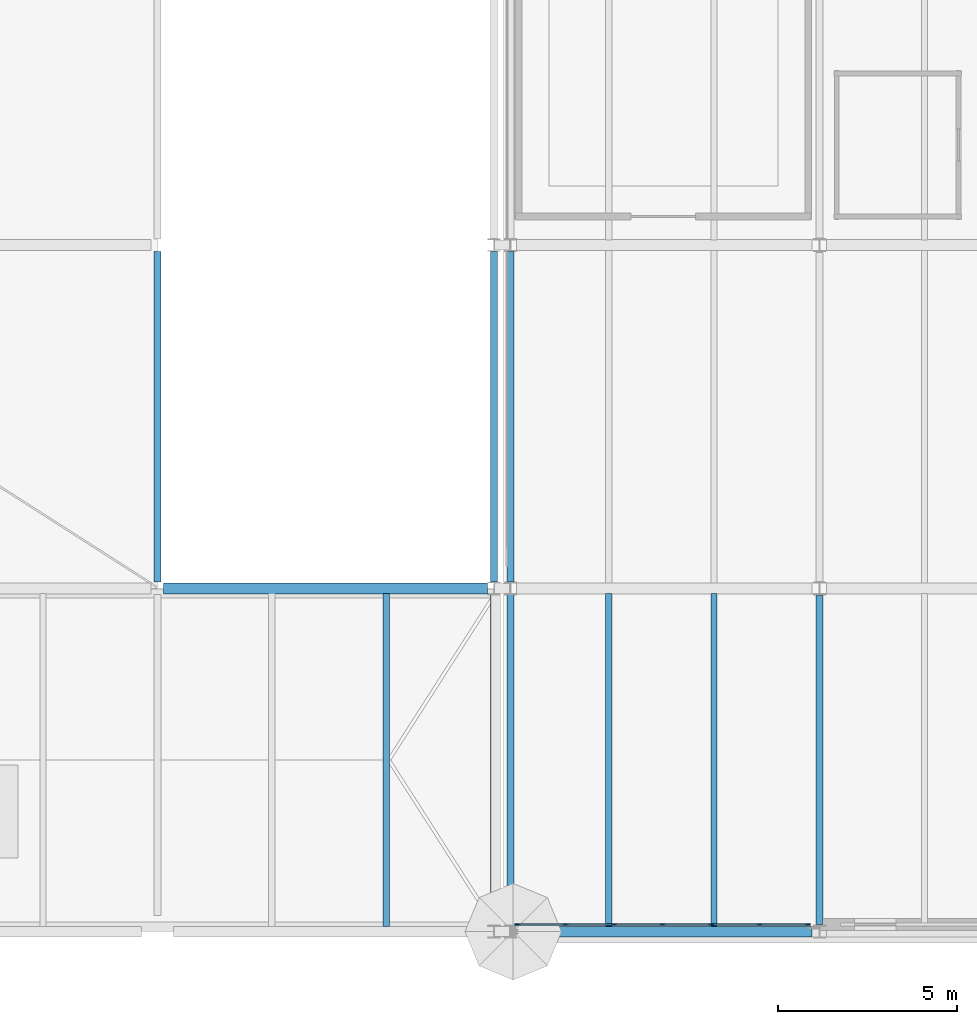
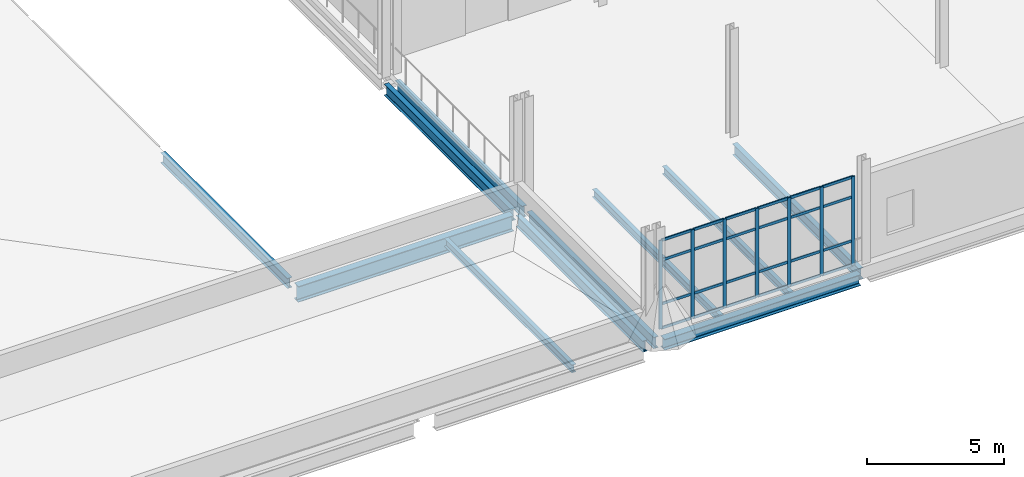
# One storey, part 55 of 112: 31 members, 11 beams, 1 element without a shape of its own.
"""IFC4 building model written with IfcOpenShell, lengths in metres."""

from ifc_helpers import new_model, si_unit, direction, frame, origin, origin_2d, place, context, subcontext, project, spatial, rectangle, i_section, extrude, material, layer, layer_set, material_profile, profile_set, type_object, element, aggregate, save


model = new_model("IFC4")

# Units and contexts
model_context = context("Model", 3, precision=1e-05, world=origin(), true_north=direction((0.0, 1.0)))
body_context = subcontext(model_context, "Body", "Model", "MODEL_VIEW")
ifc_project = project(units=[si_unit("LENGTHUNIT", "METRE"), si_unit("AREAUNIT", "SQUARE_METRE"), si_unit("VOLUMEUNIT", "CUBIC_METRE"), si_unit("PLANEANGLEUNIT", "RADIAN"), si_unit("MASSUNIT", "GRAM", prefix="KILO")], contexts=[model_context])

# Site, building, storey
site_placement = place(None, origin())
site = spatial("IfcSite", under=ifc_project, at=site_placement, CompositionType="ELEMENT")
building_placement = place(site_placement, origin())
building = spatial("IfcBuilding", under=site, at=building_placement, Name="Yeouljin Market Hall", CompositionType="ELEMENT")
storey_placement = place(building_placement, frame((0.0, 0.0, 6.0)))
storey = spatial("IfcBuildingStorey", under=building, at=storey_placement, Name="L01", CompositionType="ELEMENT", Elevation=6.0)

# Beams
ifc_material_1 = material(Name="Steel SM355", Category="steel")
ifc_material_profile_1 = material_profile(ifc_material_1, i_section(OverallWidth=0.199951171875, OverallDepth=0.449951171875, WebThickness=0.009033203125, FlangeThickness=0.013916015625, FilletRadius=0.01806640625, at=origin_2d()), Name="H-450x200x9x14")
ifc_profile_set_1 = profile_set([ifc_material_profile_1], Name="Steel SM355")
beam_type_1 = type_object("IfcBeamType", Name="Beam_H-450x200x9x14", PredefinedType="BEAM", material=ifc_profile_set_1)
beam_1_placement = place(storey_placement, frame((131.39990234375, 9.77490234375, -0.2451171875), z_axis=(0.0, 1.0, 0.0), x_axis=(-1.0, 0.0, 0.0)))
element("IfcBeam", 1, at=beam_1_placement, inside=storey, type_object=beam_type_1, Name="Boulevard forecourt canopy beam BM-V5FC-Y32", PredefinedType="BEAM", context=body_context, shape_type="SweptSolid", body=[
    extrude(i_section(OverallWidth=0.199951171875, OverallDepth=0.449951171875, WebThickness=0.009033203125, FlangeThickness=0.013916015625, FilletRadius=0.01806640625, at=origin_2d()), origin(), (0.0, 0.0, 1.0), 9.25),
])
ifc_material_2 = material(Name="Steel SM355", Category="steel")
ifc_material_profile_2 = material_profile(ifc_material_2, i_section(OverallWidth=0.199951171875, OverallDepth=0.5, WebThickness=0.010009765625, FlangeThickness=0.01611328125, FilletRadius=0.02001953125, at=origin_2d()), Name="H-500x200x10x16")
ifc_profile_set_2 = profile_set([ifc_material_profile_2], Name="Steel SM355")
beam_type_2 = type_object("IfcBeamType", Name="Beam_H-500x200x10x16", PredefinedType="BEAM", material=ifc_profile_set_2)
for number, where, z_axis, x_axis, name in (
    (2, (140.81005859375, 0.175048828125, -0.530029296875), (0.0, 1.0, 0.0), (-1.0, 0.0, 0.0), "Primary beam BM-L01-Y207"),
    (3, (140.81005859375, 9.77490234375, -0.514892578125), (0.0, 1.0, 0.0), (-1.0, 0.0, 0.0), "Primary beam BM-L01-Y208"),
    (4, (141.27001953125, 0.175048828125, -0.530029296875), (0.0, 1.0, 0.0), (-1.0, 0.0, 0.0), "Primary beam BM-L01-Y215"),
    (5, (141.27001953125, 9.77490234375, -0.514892578125), (0.0, 1.0, 0.0), (-1.0, 0.0, 0.0), "Primary beam BM-L01-Y216"),
):
    element("IfcBeam", number, at=place(storey_placement, frame(where, z_axis=z_axis, x_axis=x_axis)), inside=storey, type_object=beam_type_2, Name=name, PredefinedType="BEAM", context=body_context, shape_type="SweptSolid", body=[
        extrude(i_section(OverallWidth=0.199951171875, OverallDepth=0.5, WebThickness=0.010009765625, FlangeThickness=0.01611328125, FilletRadius=0.02001953125, at=origin_2d()), origin(), (0.0, 0.0, 1.0), 9.25),
    ])
beam_2_placement = place(storey_placement, frame((149.909912109375, 0.199951171875, -0.514892578125), z_axis=(0.0, 1.0, 0.0), x_axis=(-1.0, 0.0, 0.0)))
element("IfcBeam", 6, at=beam_2_placement, inside=storey, type_object=beam_type_2, Name="Primary beam BM-L01-Y218", PredefinedType="BEAM", context=body_context, shape_type="SweptSolid", body=[
    extrude(i_section(OverallWidth=0.199951171875, OverallDepth=0.5, WebThickness=0.010009765625, FlangeThickness=0.01611328125, FilletRadius=0.02001953125, at=origin_2d()), origin(), (0.0, 0.0, 1.0), 9.199951171875),
])

# Curtain wall, members
ifc_material_3 = material(Name="Thermally Broken Aluminium", Category="aluminium")
ifc_layer = layer(ifc_material_3, 0.14990234375)
ifc_layer_set = layer_set([ifc_layer], Name="Thermally Broken Aluminium")
curtain_wall_type = type_object("IfcCurtainWallType", Name="CW_AcademyRibbon_System", PredefinedType="USERDEFINED", material=ifc_layer_set)
curtain_wall_placement = place(storey_placement, origin())
curtain_wall = element("IfcCurtainWall", 7, at=curtain_wall_placement, inside=storey, type_object=curtain_wall_type, Name="Curtain wall CW-L01-W12", ObjectType="CURTAIN WALL", PredefinedType="USERDEFINED")
ifc_material_4 = material(Name="Thermally Broken Aluminium", Category="aluminium")
ifc_material_profile_3 = material_profile(ifc_material_4, rectangle(XDim=0.048095703125, YDim=0.14990234375, at=origin_2d()), Name="CW-MULL-48x150")
ifc_profile_set_3 = profile_set([ifc_material_profile_3], Name="Thermally Broken Aluminium")
member_type_1 = type_object("IfcMemberType", Name="CWMullion_48x150", PredefinedType="MULLION", material=ifc_profile_set_3)
member_1_placement = place(storey_placement, frame((149.575927734375, 0.199951171875, 0.0), z_axis=(0.0, 0.0, 1.0), x_axis=(0.0, -1.0, 0.0)))
member_1 = element("IfcMember", 8, at=member_1_placement, type_object=member_type_1, Name="CW-05 mullion 1", PredefinedType="MULLION", context=body_context, shape_type="SweptSolid", body=[
    extrude(rectangle(XDim=0.048095703125, YDim=0.14990234375, at=origin_2d()), origin(), (0.0, 0.0, 1.0), 3.949951171875),
])
member_2_placement = place(storey_placement, frame((148.24169921875, 0.199951171875, 0.0), z_axis=(0.0, 0.0, 1.0), x_axis=(0.0, -1.0, 0.0)))
member_2 = element("IfcMember", 9, at=member_2_placement, type_object=member_type_1, Name="CW-05 mullion 2", PredefinedType="MULLION", context=body_context, shape_type="SweptSolid", body=[
    extrude(rectangle(XDim=0.048095703125, YDim=0.14990234375, at=origin_2d()), origin(), (0.0, 0.0, 1.0), 3.949951171875),
])
member_3_placement = place(storey_placement, frame((146.88330078125, 0.199951171875, 0.0), z_axis=(0.0, 0.0, 1.0), x_axis=(0.0, -1.0, 0.0)))
member_3 = element("IfcMember", 10, at=member_3_placement, type_object=member_type_1, Name="CW-05 mullion 3", PredefinedType="MULLION", context=body_context, shape_type="SweptSolid", body=[
    extrude(rectangle(XDim=0.048095703125, YDim=0.14990234375, at=origin_2d()), origin(), (0.0, 0.0, 1.0), 3.949951171875),
])
member_4_placement = place(storey_placement, frame((145.52490234375, 0.199951171875, 0.0), z_axis=(0.0, 0.0, 1.0), x_axis=(0.0, -1.0, 0.0)))
member_4 = element("IfcMember", 11, at=member_4_placement, type_object=member_type_1, Name="CW-05 mullion 4", PredefinedType="MULLION", context=body_context, shape_type="SweptSolid", body=[
    extrude(rectangle(XDim=0.048095703125, YDim=0.14990234375, at=origin_2d()), origin(), (0.0, 0.0, 1.0), 3.949951171875),
])
member_5_placement = place(storey_placement, frame((144.166748046875, 0.199951171875, 0.0), z_axis=(0.0, 0.0, 1.0), x_axis=(0.0, -1.0, 0.0)))
member_5 = element("IfcMember", 12, at=member_5_placement, type_object=member_type_1, Name="CW-05 mullion 5", PredefinedType="MULLION", context=body_context, shape_type="SweptSolid", body=[
    extrude(rectangle(XDim=0.048095703125, YDim=0.14990234375, at=origin_2d()), origin(), (0.0, 0.0, 1.0), 3.949951171875),
])
member_6_placement = place(storey_placement, frame((142.808349609375, 0.199951171875, 0.0), z_axis=(0.0, 0.0, 1.0), x_axis=(0.0, -1.0, 0.0)))
member_6 = element("IfcMember", 13, at=member_6_placement, type_object=member_type_1, Name="CW-05 mullion 6", PredefinedType="MULLION", context=body_context, shape_type="SweptSolid", body=[
    extrude(rectangle(XDim=0.048095703125, YDim=0.14990234375, at=origin_2d()), origin(), (0.0, 0.0, 1.0), 3.949951171875),
])
member_7_placement = place(storey_placement, frame((141.47412109375, 0.199951171875, 0.0), z_axis=(0.0, 0.0, 1.0), x_axis=(0.0, -1.0, 0.0)))
member_7 = element("IfcMember", 14, at=member_7_placement, type_object=member_type_1, Name="CW-05 mullion 7", PredefinedType="MULLION", context=body_context, shape_type="SweptSolid", body=[
    extrude(rectangle(XDim=0.048095703125, YDim=0.14990234375, at=origin_2d()), origin(), (0.0, 0.0, 1.0), 3.949951171875),
])
ifc_material_5 = material(Name="Thermally Broken Aluminium", Category="aluminium")
ifc_material_profile_4 = material_profile(ifc_material_5, rectangle(XDim=0.048095703125, YDim=0.1201171875, at=origin_2d()), Name="CW-TRAN-48x120")
ifc_profile_set_4 = profile_set([ifc_material_profile_4], Name="Thermally Broken Aluminium")
member_type_2 = type_object("IfcMemberType", Name="CWTransom_48x120", PredefinedType="USERDEFINED", material=ifc_profile_set_4)
member_8_placement = place(storey_placement, frame((149.552001953125, 0.199951171875, 0.02392578125), z_axis=(-1.0, 0.0, 0.0), x_axis=(0.0, -1.0, 0.0)))
member_8 = element("IfcMember", 15, at=member_8_placement, type_object=member_type_2, Name="CW-05 transom 1.1", ObjectType="TRANSOM", PredefinedType="USERDEFINED", context=body_context, shape_type="SweptSolid", body=[
    extrude(rectangle(XDim=0.048095703125, YDim=0.1201171875, at=origin_2d()), origin(), (0.0, 0.0, 1.0), 1.286376953125),
])
member_9_placement = place(storey_placement, frame((149.552001953125, 0.199951171875, 1.10009765625), z_axis=(-1.0, 0.0, 0.0), x_axis=(0.0, -1.0, 0.0)))
member_9 = element("IfcMember", 16, at=member_9_placement, type_object=member_type_2, Name="CW-05 transom 1.2", ObjectType="TRANSOM", PredefinedType="USERDEFINED", context=body_context, shape_type="SweptSolid", body=[
    extrude(rectangle(XDim=0.048095703125, YDim=0.1201171875, at=origin_2d()), origin(), (0.0, 0.0, 1.0), 1.286376953125),
])
member_10_placement = place(storey_placement, frame((149.552001953125, 0.199951171875, 3.050048828125), z_axis=(-1.0, 0.0, 0.0), x_axis=(0.0, -1.0, 0.0)))
member_10 = element("IfcMember", 17, at=member_10_placement, type_object=member_type_2, Name="CW-05 transom 1.3", ObjectType="TRANSOM", PredefinedType="USERDEFINED", context=body_context, shape_type="SweptSolid", body=[
    extrude(rectangle(XDim=0.048095703125, YDim=0.1201171875, at=origin_2d()), origin(), (0.0, 0.0, 1.0), 1.286376953125),
])
member_11_placement = place(storey_placement, frame((149.552001953125, 0.199951171875, 3.926025390625), z_axis=(-1.0, 0.0, 0.0), x_axis=(0.0, -1.0, 0.0)))
member_11 = element("IfcMember", 18, at=member_11_placement, type_object=member_type_2, Name="CW-05 transom 1.4", ObjectType="TRANSOM", PredefinedType="USERDEFINED", context=body_context, shape_type="SweptSolid", body=[
    extrude(rectangle(XDim=0.048095703125, YDim=0.1201171875, at=origin_2d()), origin(), (0.0, 0.0, 1.0), 1.286376953125),
])
member_12_placement = place(storey_placement, frame((148.2177734375, 0.199951171875, 0.02392578125), z_axis=(-1.0, 0.0, 0.0), x_axis=(0.0, -1.0, 0.0)))
member_12 = element("IfcMember", 19, at=member_12_placement, type_object=member_type_2, Name="CW-05 transom 2.1", ObjectType="TRANSOM", PredefinedType="USERDEFINED", context=body_context, shape_type="SweptSolid", body=[
    extrude(rectangle(XDim=0.048095703125, YDim=0.1201171875, at=origin_2d()), origin(), (0.0, 0.0, 1.0), 1.310546875),
])
member_13_placement = place(storey_placement, frame((148.2177734375, 0.199951171875, 1.10009765625), z_axis=(-1.0, 0.0, 0.0), x_axis=(0.0, -1.0, 0.0)))
member_13 = element("IfcMember", 20, at=member_13_placement, type_object=member_type_2, Name="CW-05 transom 2.2", ObjectType="TRANSOM", PredefinedType="USERDEFINED", context=body_context, shape_type="SweptSolid", body=[
    extrude(rectangle(XDim=0.048095703125, YDim=0.1201171875, at=origin_2d()), origin(), (0.0, 0.0, 1.0), 1.310546875),
])
member_14_placement = place(storey_placement, frame((148.2177734375, 0.199951171875, 3.050048828125), z_axis=(-1.0, 0.0, 0.0), x_axis=(0.0, -1.0, 0.0)))
member_14 = element("IfcMember", 21, at=member_14_placement, type_object=member_type_2, Name="CW-05 transom 2.3", ObjectType="TRANSOM", PredefinedType="USERDEFINED", context=body_context, shape_type="SweptSolid", body=[
    extrude(rectangle(XDim=0.048095703125, YDim=0.1201171875, at=origin_2d()), origin(), (0.0, 0.0, 1.0), 1.310546875),
])
member_15_placement = place(storey_placement, frame((148.2177734375, 0.199951171875, 3.926025390625), z_axis=(-1.0, 0.0, 0.0), x_axis=(0.0, -1.0, 0.0)))
member_15 = element("IfcMember", 22, at=member_15_placement, type_object=member_type_2, Name="CW-05 transom 2.4", ObjectType="TRANSOM", PredefinedType="USERDEFINED", context=body_context, shape_type="SweptSolid", body=[
    extrude(rectangle(XDim=0.048095703125, YDim=0.1201171875, at=origin_2d()), origin(), (0.0, 0.0, 1.0), 1.310546875),
])
member_16_placement = place(storey_placement, frame((146.859375, 0.199951171875, 0.02392578125), z_axis=(-1.0, 0.0, 0.0), x_axis=(0.0, -1.0, 0.0)))
member_16 = element("IfcMember", 23, at=member_16_placement, type_object=member_type_2, Name="CW-05 transom 3.1", ObjectType="TRANSOM", PredefinedType="USERDEFINED", context=body_context, shape_type="SweptSolid", body=[
    extrude(rectangle(XDim=0.048095703125, YDim=0.1201171875, at=origin_2d()), origin(), (0.0, 0.0, 1.0), 1.310302734375),
])
member_17_placement = place(storey_placement, frame((146.859375, 0.199951171875, 1.10009765625), z_axis=(-1.0, 0.0, 0.0), x_axis=(0.0, -1.0, 0.0)))
member_17 = element("IfcMember", 24, at=member_17_placement, type_object=member_type_2, Name="CW-05 transom 3.2", ObjectType="TRANSOM", PredefinedType="USERDEFINED", context=body_context, shape_type="SweptSolid", body=[
    extrude(rectangle(XDim=0.048095703125, YDim=0.1201171875, at=origin_2d()), origin(), (0.0, 0.0, 1.0), 1.310302734375),
])
member_18_placement = place(storey_placement, frame((146.859375, 0.199951171875, 3.050048828125), z_axis=(-1.0, 0.0, 0.0), x_axis=(0.0, -1.0, 0.0)))
member_18 = element("IfcMember", 25, at=member_18_placement, type_object=member_type_2, Name="CW-05 transom 3.3", ObjectType="TRANSOM", PredefinedType="USERDEFINED", context=body_context, shape_type="SweptSolid", body=[
    extrude(rectangle(XDim=0.048095703125, YDim=0.1201171875, at=origin_2d()), origin(), (0.0, 0.0, 1.0), 1.310302734375),
])
member_19_placement = place(storey_placement, frame((146.859375, 0.199951171875, 3.926025390625), z_axis=(-1.0, 0.0, 0.0), x_axis=(0.0, -1.0, 0.0)))
member_19 = element("IfcMember", 26, at=member_19_placement, type_object=member_type_2, Name="CW-05 transom 3.4", ObjectType="TRANSOM", PredefinedType="USERDEFINED", context=body_context, shape_type="SweptSolid", body=[
    extrude(rectangle(XDim=0.048095703125, YDim=0.1201171875, at=origin_2d()), origin(), (0.0, 0.0, 1.0), 1.310302734375),
])
member_20_placement = place(storey_placement, frame((145.5009765625, 0.199951171875, 0.02392578125), z_axis=(-1.0, 0.0, 0.0), x_axis=(0.0, -1.0, 0.0)))
member_20 = element("IfcMember", 27, at=member_20_placement, type_object=member_type_2, Name="CW-05 transom 4.1", ObjectType="TRANSOM", PredefinedType="USERDEFINED", context=body_context, shape_type="SweptSolid", body=[
    extrude(rectangle(XDim=0.048095703125, YDim=0.1201171875, at=origin_2d()), origin(), (0.0, 0.0, 1.0), 1.310302734375),
])
member_21_placement = place(storey_placement, frame((145.5009765625, 0.199951171875, 1.10009765625), z_axis=(-1.0, 0.0, 0.0), x_axis=(0.0, -1.0, 0.0)))
member_21 = element("IfcMember", 28, at=member_21_placement, type_object=member_type_2, Name="CW-05 transom 4.2", ObjectType="TRANSOM", PredefinedType="USERDEFINED", context=body_context, shape_type="SweptSolid", body=[
    extrude(rectangle(XDim=0.048095703125, YDim=0.1201171875, at=origin_2d()), origin(), (0.0, 0.0, 1.0), 1.310302734375),
])
member_22_placement = place(storey_placement, frame((145.5009765625, 0.199951171875, 3.050048828125), z_axis=(-1.0, 0.0, 0.0), x_axis=(0.0, -1.0, 0.0)))
member_22 = element("IfcMember", 29, at=member_22_placement, type_object=member_type_2, Name="CW-05 transom 4.3", ObjectType="TRANSOM", PredefinedType="USERDEFINED", context=body_context, shape_type="SweptSolid", body=[
    extrude(rectangle(XDim=0.048095703125, YDim=0.1201171875, at=origin_2d()), origin(), (0.0, 0.0, 1.0), 1.310302734375),
])
member_23_placement = place(storey_placement, frame((145.5009765625, 0.199951171875, 3.926025390625), z_axis=(-1.0, 0.0, 0.0), x_axis=(0.0, -1.0, 0.0)))
member_23 = element("IfcMember", 30, at=member_23_placement, type_object=member_type_2, Name="CW-05 transom 4.4", ObjectType="TRANSOM", PredefinedType="USERDEFINED", context=body_context, shape_type="SweptSolid", body=[
    extrude(rectangle(XDim=0.048095703125, YDim=0.1201171875, at=origin_2d()), origin(), (0.0, 0.0, 1.0), 1.310302734375),
])
member_24_placement = place(storey_placement, frame((144.142578125, 0.199951171875, 0.02392578125), z_axis=(-1.0, 0.0, 0.0), x_axis=(0.0, -1.0, 0.0)))
member_24 = element("IfcMember", 31, at=member_24_placement, type_object=member_type_2, Name="CW-05 transom 5.1", ObjectType="TRANSOM", PredefinedType="USERDEFINED", context=body_context, shape_type="SweptSolid", body=[
    extrude(rectangle(XDim=0.048095703125, YDim=0.1201171875, at=origin_2d()), origin(), (0.0, 0.0, 1.0), 1.310302734375),
])
member_25_placement = place(storey_placement, frame((144.142578125, 0.199951171875, 1.10009765625), z_axis=(-1.0, 0.0, 0.0), x_axis=(0.0, -1.0, 0.0)))
member_25 = element("IfcMember", 32, at=member_25_placement, type_object=member_type_2, Name="CW-05 transom 5.2", ObjectType="TRANSOM", PredefinedType="USERDEFINED", context=body_context, shape_type="SweptSolid", body=[
    extrude(rectangle(XDim=0.048095703125, YDim=0.1201171875, at=origin_2d()), origin(), (0.0, 0.0, 1.0), 1.310302734375),
])
member_26_placement = place(storey_placement, frame((144.142578125, 0.199951171875, 3.050048828125), z_axis=(-1.0, 0.0, 0.0), x_axis=(0.0, -1.0, 0.0)))
member_26 = element("IfcMember", 33, at=member_26_placement, type_object=member_type_2, Name="CW-05 transom 5.3", ObjectType="TRANSOM", PredefinedType="USERDEFINED", context=body_context, shape_type="SweptSolid", body=[
    extrude(rectangle(XDim=0.048095703125, YDim=0.1201171875, at=origin_2d()), origin(), (0.0, 0.0, 1.0), 1.310302734375),
])
member_27_placement = place(storey_placement, frame((144.142578125, 0.199951171875, 3.926025390625), z_axis=(-1.0, 0.0, 0.0), x_axis=(0.0, -1.0, 0.0)))
member_27 = element("IfcMember", 34, at=member_27_placement, type_object=member_type_2, Name="CW-05 transom 5.4", ObjectType="TRANSOM", PredefinedType="USERDEFINED", context=body_context, shape_type="SweptSolid", body=[
    extrude(rectangle(XDim=0.048095703125, YDim=0.1201171875, at=origin_2d()), origin(), (0.0, 0.0, 1.0), 1.310302734375),
])
member_28_placement = place(storey_placement, frame((142.784423828125, 0.199951171875, 0.02392578125), z_axis=(-1.0, 0.0, 0.0), x_axis=(0.0, -1.0, 0.0)))
member_28 = element("IfcMember", 35, at=member_28_placement, type_object=member_type_2, Name="CW-05 transom 6.1", ObjectType="TRANSOM", PredefinedType="USERDEFINED", context=body_context, shape_type="SweptSolid", body=[
    extrude(rectangle(XDim=0.048095703125, YDim=0.1201171875, at=origin_2d()), origin(), (0.0, 0.0, 1.0), 1.286376953125),
])
member_29_placement = place(storey_placement, frame((142.784423828125, 0.199951171875, 1.10009765625), z_axis=(-1.0, 0.0, 0.0), x_axis=(0.0, -1.0, 0.0)))
member_29 = element("IfcMember", 36, at=member_29_placement, type_object=member_type_2, Name="CW-05 transom 6.2", ObjectType="TRANSOM", PredefinedType="USERDEFINED", context=body_context, shape_type="SweptSolid", body=[
    extrude(rectangle(XDim=0.048095703125, YDim=0.1201171875, at=origin_2d()), origin(), (0.0, 0.0, 1.0), 1.286376953125),
])
member_30_placement = place(storey_placement, frame((142.784423828125, 0.199951171875, 3.050048828125), z_axis=(-1.0, 0.0, 0.0), x_axis=(0.0, -1.0, 0.0)))
member_30 = element("IfcMember", 37, at=member_30_placement, type_object=member_type_2, Name="CW-05 transom 6.3", ObjectType="TRANSOM", PredefinedType="USERDEFINED", context=body_context, shape_type="SweptSolid", body=[
    extrude(rectangle(XDim=0.048095703125, YDim=0.1201171875, at=origin_2d()), origin(), (0.0, 0.0, 1.0), 1.286376953125),
])
member_31_placement = place(storey_placement, frame((142.784423828125, 0.199951171875, 3.926025390625), z_axis=(-1.0, 0.0, 0.0), x_axis=(0.0, -1.0, 0.0)))
member_31 = element("IfcMember", 38, at=member_31_placement, type_object=member_type_2, Name="CW-05 transom 6.4", ObjectType="TRANSOM", PredefinedType="USERDEFINED", context=body_context, shape_type="SweptSolid", body=[
    extrude(rectangle(XDim=0.048095703125, YDim=0.1201171875, at=origin_2d()), origin(), (0.0, 0.0, 1.0), 1.286376953125),
])
aggregate(curtain_wall, [member_1, member_2, member_3, member_4, member_5, member_6, member_7, member_8, member_9, member_10, member_11, member_12, member_13, member_14, member_15, member_16, member_17, member_18, member_19, member_20, member_21, member_22, member_23, member_24, member_25, member_26, member_27, member_28, member_29, member_30, member_31])

# Beams
ifc_material_6 = material(Name="Steel SM355", Category="steel")
ifc_material_profile_5 = material_profile(ifc_material_6, i_section(OverallWidth=0.300048828125, OverallDepth=0.488037109375, WebThickness=0.010986328125, FlangeThickness=0.01806640625, FilletRadius=0.02197265625, at=origin_2d()), Name="H-488x300x11x18")
ifc_profile_set_5 = profile_set([ifc_material_profile_5], Name="Steel SM355")
beam_type_3 = type_object("IfcBeamType", Name="Girder_H-488x300x11x18", PredefinedType="USERDEFINED", material=ifc_profile_set_5)
beam_3_placement = place(storey_placement, frame((141.445068359375, 0.0, -0.509033203125), z_axis=(1.0, 0.0, 0.0), x_axis=(0.0, 1.0, 0.0)))
element("IfcBeam", 39, at=beam_3_placement, inside=storey, type_object=beam_type_3, Name="Primary girder GRD-L01-X011", ObjectType="GIRDER", PredefinedType="USERDEFINED", context=body_context, shape_type="SweptSolid", body=[
    extrude(i_section(OverallWidth=0.300048828125, OverallDepth=0.488037109375, WebThickness=0.010986328125, FlangeThickness=0.01806640625, FilletRadius=0.02197265625, at=origin_2d()), origin(), (0.0, 0.0, 1.0), 8.264892578125),
])
ifc_material_7 = material(Name="Steel SM355", Category="steel")
ifc_material_profile_6 = material_profile(ifc_material_7, i_section(OverallWidth=0.300048828125, OverallDepth=0.699951171875, WebThickness=0.012939453125, FlangeThickness=0.02392578125, FilletRadius=0.02587890625, at=origin_2d()), Name="H-700x300x13x24")
ifc_profile_set_6 = profile_set([ifc_material_profile_6], Name="Steel SM355")
beam_type_4 = type_object("IfcBeamType", Name="Girder_H-700x300x13x24", PredefinedType="USERDEFINED", material=ifc_profile_set_6)
beam_4_placement = place(storey_placement, frame((131.574951171875, 9.60009765625, -0.6298828125), z_axis=(1.0, 0.0, 0.0), x_axis=(0.0, 1.0, 0.0)))
element("IfcBeam", 40, at=beam_4_placement, inside=storey, type_object=beam_type_4, Name="Primary girder GRD-L01-X024", ObjectType="GIRDER", PredefinedType="USERDEFINED", context=body_context, shape_type="SweptSolid", body=[
    extrude(i_section(OverallWidth=0.300048828125, OverallDepth=0.699951171875, WebThickness=0.012939453125, FlangeThickness=0.02392578125, FilletRadius=0.02587890625, at=origin_2d()), origin(), (0.0, 0.0, 1.0), 9.06005859375),
])
ifc_material_8 = material(Name="Steel SM355", Category="steel")
ifc_material_profile_7 = material_profile(ifc_material_8, i_section(OverallWidth=0.175048828125, OverallDepth=0.35009765625, WebThickness=0.007080078125, FlangeThickness=0.010986328125, FilletRadius=0.013916015625, at=origin_2d()), Name="H-350x175x7x11")
ifc_profile_set_7 = profile_set([ifc_material_profile_7], Name="Steel SM355")
beam_type_5 = type_object("IfcBeamType", Name="Joist_H-350x175x7x11", PredefinedType="JOIST", material=ifc_profile_set_7)
for number, where, z_axis, x_axis, name in (
    (41, (137.800048828125, 0.14697265625, -0.455078125), (0.0, 1.0, 0.0), (-1.0, 0.0, 0.0), "Secondary floor joist L01-095"),
    (42, (144.023193359375, 0.14697265625, -0.43994140625), (0.0, 1.0, 0.0), (-1.0, 0.0, 0.0), "Secondary floor joist L01-100"),
    (43, (146.966796875, 0.14697265625, -0.43994140625), (0.0, 1.0, 0.0), (-1.0, 0.0, 0.0), "Secondary floor joist L01-101"),
):
    element("IfcBeam", number, at=place(storey_placement, frame(where, z_axis=z_axis, x_axis=x_axis)), inside=storey, type_object=beam_type_5, Name=name, PredefinedType="JOIST", context=body_context, shape_type="SweptSolid", body=[
        extrude(i_section(OverallWidth=0.175048828125, OverallDepth=0.35009765625, WebThickness=0.007080078125, FlangeThickness=0.010986328125, FilletRadius=0.013916015625, at=origin_2d()), origin(), (0.0, 0.0, 1.0), 9.305908203125),
    ])

save(model, "model.ifc")
